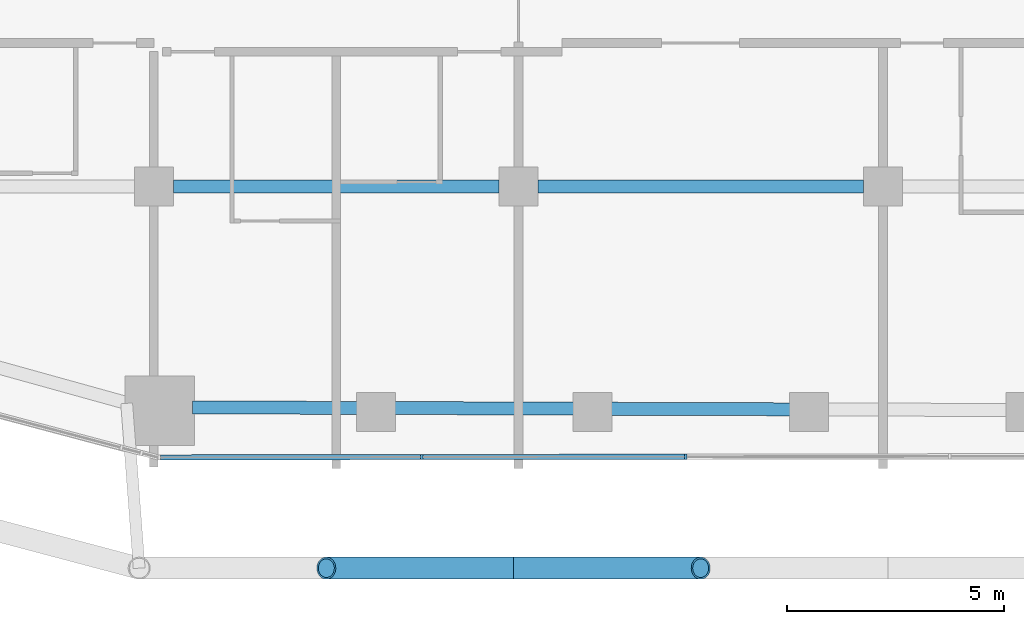
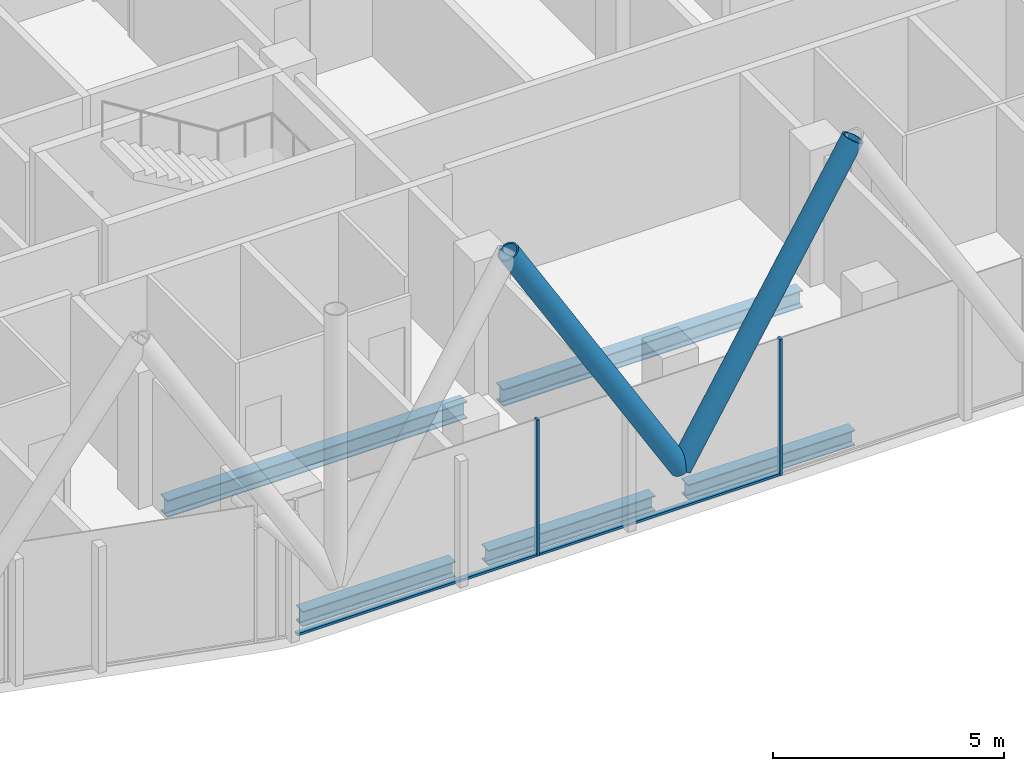
# One storey, part 3 of 33: 6 members, 5 beams, 1 element without a shape of its own.
"""IFC4 building model written with IfcOpenShell, lengths in metres."""

from ifc_helpers import new_model, si_unit, direction, frame, origin, origin_2d, place, context, subcontext, project, spatial, rectangle, hollow_circle, i_section, extrude, material, layer, layer_set, material_profile, profile_set, type_object, element, aggregate, save


model = new_model("IFC4")

# Units and contexts
model_context = context("Model", 3, precision=1e-05, world=origin(), true_north=direction((0.0, 1.0)))
body_context = subcontext(model_context, "Body", "Model", "MODEL_VIEW")
ifc_project = project(units=[si_unit("LENGTHUNIT", "METRE"), si_unit("AREAUNIT", "SQUARE_METRE"), si_unit("VOLUMEUNIT", "CUBIC_METRE"), si_unit("PLANEANGLEUNIT", "RADIAN"), si_unit("MASSUNIT", "GRAM", prefix="KILO")], contexts=[model_context])

# Site, building, storey
site_placement = place(None, origin())
site = spatial("IfcSite", under=ifc_project, at=site_placement, CompositionType="ELEMENT")
building_placement = place(site_placement, origin())
building = spatial("IfcBuilding", under=site, at=building_placement, Name="Marenta Gate Hotel Tower", CompositionType="ELEMENT")
storey_placement = place(building_placement, frame((0.0, 0.0, 122.89990234375)))
storey = spatial("IfcBuildingStorey", under=building, at=storey_placement, Name="L27", CompositionType="ELEMENT", Elevation=122.89990234375)

# Members
ifc_material_1 = material(Name="Steel S355J2W", Category="steel")
ifc_material_profile_1 = material_profile(ifc_material_1, hollow_circle(Radius=0.25390625, WallThickness=0.0400390625, at=origin_2d()), Name="CHS 508x40")
ifc_profile_set_1 = profile_set([ifc_material_profile_1], Name="Steel S355J2W")
member_type_1 = type_object("IfcMemberType", Name="Diagrid diagonal Z2 CHS 508x40", PredefinedType="BRACE", material=ifc_profile_set_1)
for number, where, z_axis, x_axis, name in (
    (1, (-4.31298828125, -25.60009765625, 3.14013671875), (0.513883902774, 0.0, 0.857859740558), (0.0, 1.0, 0.0), "L27-DG-18"),
    (2, (-4.31298828125, -25.60009765625, 3.14013671875), (-0.513883902774, 0.0, 0.857859740558), (0.0, -1.0, 0.0), "L27-DG-19"),
):
    element("IfcMember", number, at=place(storey_placement, frame(where, z_axis=z_axis, x_axis=x_axis)), inside=storey, type_object=member_type_1, Name=name, PredefinedType="BRACE", context=body_context, shape_type="SweptSolid", body=[
        extrude(hollow_circle(Radius=0.25390625, WallThickness=0.0400390625, at=origin_2d()), origin(), (0.0, 0.0, 1.0), 8.392822265625),
    ])

# Beams
ifc_material_2 = material(Name="Steel S355", Category="steel")
ifc_material_profile_2 = material_profile(ifc_material_2, i_section(OverallWidth=0.300048828125, OverallDepth=0.39990234375, WebThickness=0.013427734375, FlangeThickness=0.02392578125, FilletRadius=0.027099609375, at=origin_2d()), Name="HEB 400")
ifc_profile_set_2 = profile_set([ifc_material_profile_2], Name="Steel S355")
beam_type_1 = type_object("IfcBeamType", Name="Edge beam HEB 400", PredefinedType="SPANDREL", material=ifc_profile_set_2)
beam_1_placement = place(storey_placement, frame((2.08349609375, -21.939453125, -0.4599609375), z_axis=(-0.999994808095, 0.003222387769, 0.0), x_axis=(-0.003222387769, -0.999994808095, 0.0)))
element("IfcBeam", 3, at=beam_1_placement, inside=storey, type_object=beam_type_1, Name="L27-EB-34", PredefinedType="SPANDREL", context=body_context, shape_type="SweptSolid", body=[
    extrude(i_section(OverallWidth=0.300048828125, OverallDepth=0.39990234375, WebThickness=0.013427734375, FlangeThickness=0.02392578125, FilletRadius=0.027099609375, at=origin_2d()), origin(), (0.0, 0.0, 1.0), 4.1669921875),
])
beam_2_placement = place(storey_placement, frame((-2.9033203125, -21.92333984375, -0.4599609375), z_axis=(-0.999994807487, 0.003222576575, 0.0), x_axis=(-0.003222576575, -0.999994807487, 0.0)))
element("IfcBeam", 4, at=beam_2_placement, inside=storey, type_object=beam_type_1, Name="L27-EB-35", PredefinedType="SPANDREL", context=body_context, shape_type="SweptSolid", body=[
    extrude(i_section(OverallWidth=0.300048828125, OverallDepth=0.39990234375, WebThickness=0.013427734375, FlangeThickness=0.02392578125, FilletRadius=0.027099609375, at=origin_2d()), origin(), (0.0, 0.0, 1.0), 4.166748046875),
])
beam_3_placement = place(storey_placement, frame((-7.89013671875, -21.907470703125, -0.4599609375), z_axis=(-0.999994677283, 0.003262729738, 0.0), x_axis=(-0.003262729738, -0.999994677283, 0.0)))
element("IfcBeam", 5, at=beam_3_placement, inside=storey, type_object=beam_type_1, Name="L27-EB-36", PredefinedType="SPANDREL", context=body_context, shape_type="SweptSolid", body=[
    extrude(i_section(OverallWidth=0.300048828125, OverallDepth=0.39990234375, WebThickness=0.013427734375, FlangeThickness=0.02392578125, FilletRadius=0.027099609375, at=origin_2d()), origin(), (0.0, 0.0, 1.0), 3.816162109375),
])
ifc_material_3 = material(Name="Steel S355", Category="steel")
ifc_material_profile_3 = material_profile(ifc_material_3, i_section(OverallWidth=0.300048828125, OverallDepth=0.449951171875, WebThickness=0.013916015625, FlangeThickness=0.02587890625, FilletRadius=0.027099609375, at=origin_2d()), Name="HEB 450")
ifc_profile_set_3 = profile_set([ifc_material_profile_3], Name="Steel S355")
beam_type_2 = type_object("IfcBeamType", Name="Girder HEB 450", PredefinedType="BEAM", material=ifc_profile_set_3)
for number, where, z_axis, x_axis, name in (
    (6, (-12.14990234375, -16.800048828125, -0.48486328125), (1.0, 0.0, 0.0), (0.0, 1.0, 0.0), "L27-GD-3"),
    (7, (-3.75, -16.800048828125, -0.48486328125), (1.0, 0.0, 0.0), (0.0, 1.0, 0.0), "L27-GD-4"),
):
    element("IfcBeam", number, at=place(storey_placement, frame(where, z_axis=z_axis, x_axis=x_axis)), inside=storey, type_object=beam_type_2, Name=name, PredefinedType="BEAM", context=body_context, shape_type="SweptSolid", body=[
        extrude(i_section(OverallWidth=0.300048828125, OverallDepth=0.449951171875, WebThickness=0.013916015625, FlangeThickness=0.02587890625, FilletRadius=0.027099609375, at=origin_2d()), origin(), (0.0, 0.0, 1.0), 7.5),
    ])

# Curtain wall, members
ifc_material_4 = material(Name="Tinted insulated glass in bronze anodised frame", Category="glass")
ifc_layer = layer(ifc_material_4, 0.1201171875)
ifc_layer_set = layer_set([ifc_layer], Name="Tinted insulated glass in bronze anodised frame")
curtain_wall_type = type_object("IfcCurtainWallType", Name="Tower unitised curtain wall CW1", PredefinedType="NOTDEFINED", material=ifc_layer_set)
curtain_wall_placement = place(storey_placement, origin())
curtain_wall = element("IfcCurtainWall", 8, at=curtain_wall_placement, inside=storey, type_object=curtain_wall_type, Name="CW1 run G12", PredefinedType="NOTDEFINED")
ifc_material_5 = material(Name="Bronze anodised aluminium", Category="aluminium")
ifc_material_profile_4 = material_profile(ifc_material_5, rectangle(XDim=0.1201171875, YDim=0.06005859375, at=origin_2d()), Name="Mullion CW1 60x120 bronze anodised aluminium")
ifc_profile_set_4 = profile_set([ifc_material_profile_4], Name="Bronze anodised aluminium")
member_type_2 = type_object("IfcMemberType", Name="Mullion CW1 60x120 bronze anodised aluminium", PredefinedType="MULLION", material=ifc_profile_set_4)
member_1_placement = place(storey_placement, frame((-6.424072265625, -23.039306640625, 0.0), z_axis=(0.0, 0.0, 1.0), x_axis=(-0.00136470383, 0.999999068791, 0.0)))
member_1 = element("IfcMember", 9, at=member_1_placement, type_object=member_type_2, Name="CW1 mullion 2", PredefinedType="MULLION", context=body_context, shape_type="SweptSolid", body=[
    extrude(rectangle(XDim=0.1201171875, YDim=0.06005859375, at=origin_2d()), origin(), (0.0, 0.0, 1.0), 3.60009765625),
])
member_2_placement = place(storey_placement, frame((-0.342041015625, -23.031005859375, 0.0), z_axis=(0.0, 0.0, 1.0), x_axis=(-0.00136470383, 0.999999068791, 0.0)))
member_2 = element("IfcMember", 10, at=member_2_placement, type_object=member_type_2, Name="CW1 mullion 3", PredefinedType="MULLION", context=body_context, shape_type="SweptSolid", body=[
    extrude(rectangle(XDim=0.1201171875, YDim=0.06005859375, at=origin_2d()), origin(), (0.0, 0.0, 1.0), 3.60009765625),
])
ifc_material_6 = material(Name="Bronze anodised aluminium", Category="aluminium")
ifc_material_profile_5 = material_profile(ifc_material_6, rectangle(XDim=0.1201171875, YDim=0.06005859375, at=origin_2d()), Name="Transom CW1 60x120 bronze anodised aluminium")
ifc_profile_set_5 = profile_set([ifc_material_profile_5], Name="Bronze anodised aluminium")
member_type_3 = type_object("IfcMemberType", Name="Transom CW1 60x120 bronze anodised aluminium", PredefinedType="USERDEFINED", material=ifc_profile_set_5)
member_3_placement = place(storey_placement, frame((-12.44580078125, -23.04736328125, 0.030029296875), z_axis=(0.999999095981, 0.001344632474, 0.0), x_axis=(-0.001344632474, 0.999999095981, 0.0)))
member_3 = element("IfcMember", 11, at=member_3_placement, type_object=member_type_3, Name="CW1 transom 1.1", ObjectType="TRANSOM", PredefinedType="USERDEFINED", context=body_context, shape_type="SweptSolid", body=[
    extrude(rectangle(XDim=0.1201171875, YDim=0.06005859375, at=origin_2d()), origin(), (0.0, 0.0, 1.0), 5.99169921875),
])
member_4_placement = place(storey_placement, frame((-6.39404296875, -23.0390625, 0.030029296875), z_axis=(0.999999105048, 0.001337872799, 0.0), x_axis=(-0.001337872799, 0.999999105048, 0.0)))
member_4 = element("IfcMember", 12, at=member_4_placement, type_object=member_type_3, Name="CW1 transom 2.1", ObjectType="TRANSOM", PredefinedType="USERDEFINED", context=body_context, shape_type="SweptSolid", body=[
    extrude(rectangle(XDim=0.1201171875, YDim=0.06005859375, at=origin_2d()), origin(), (0.0, 0.0, 1.0), 6.02197265625),
])
aggregate(curtain_wall, [member_1, member_2, member_3, member_4])

save(model, "model.ifc")
